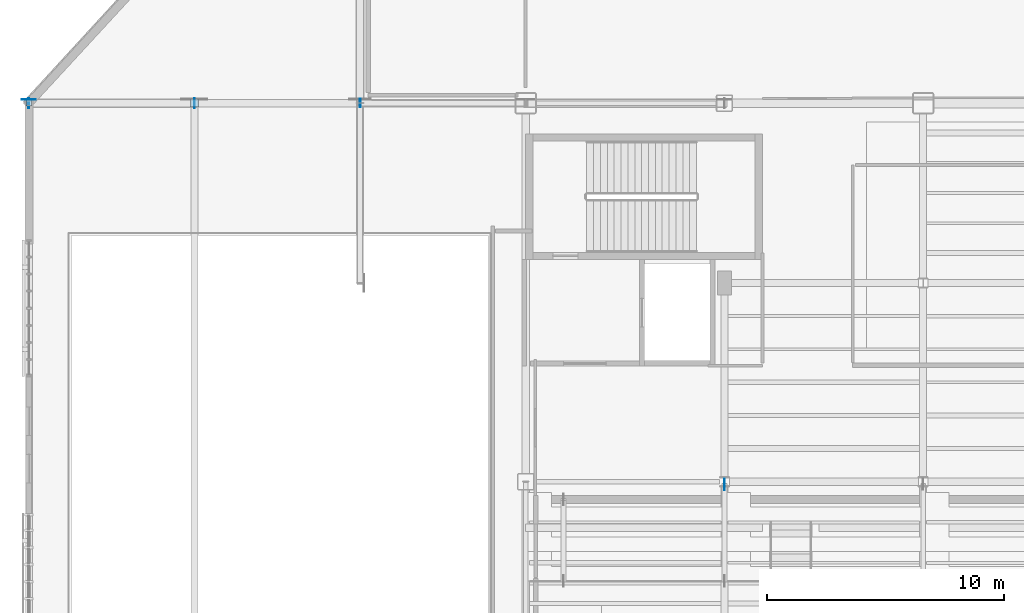
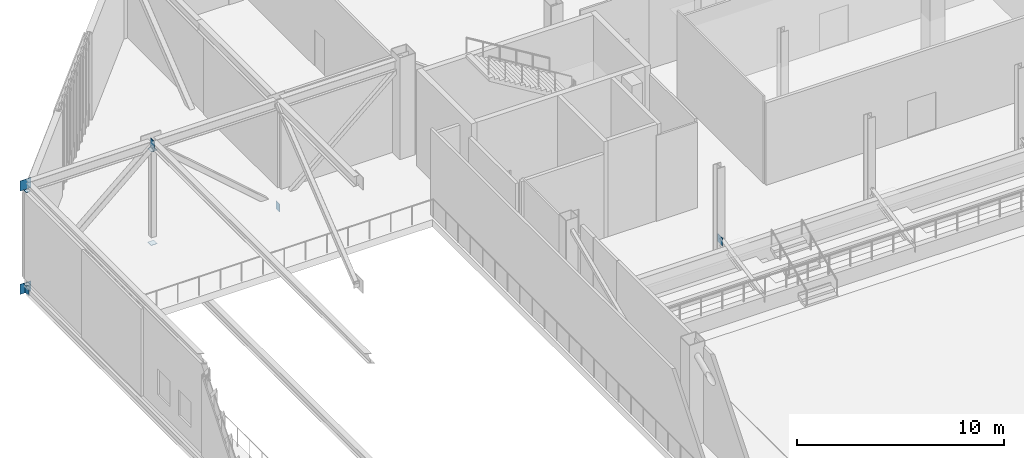
# One storey, part 94 of 135: 10 plates.
"""IFC4 building model written with IfcOpenShell, lengths in metres."""

import ifcopenshell
import ifcopenshell.guid

model = None  # the IFC model being written
_history = None  # IfcOwnerHistory: only IFC2X3 demands one
_inside = {}  # id of a spatial element -> (the spatial element, [elements in it])
_under = {}  # id of a project, library or spatial element -> (it, [spatial elements below it])
_declared = {}  # id of a project -> (the project, [libraries it declares])
_typed = {}  # id of a type object -> (the type object, [elements of that type])
_made_of = {}  # id of a material, layer set ... -> (it, [elements and type objects made of it])


def new_model(schema):
    """Start an empty IFC model of exactly this schema.

    Asked for "IFC4X3", IfcOpenShell would pick the latest addendum, in which some entities
    have other attributes; the version numbers below select the first issue.
    IFC2X3 requires an IfcOwnerHistory on every rooted entity: one is made here for all.
    """
    global model, _history
    if schema == "IFC4X3":
        model = ifcopenshell.file(schema_version=(4, 3, 0, 0))
    else:
        model = ifcopenshell.file(schema=schema)
    _inside.clear()
    _under.clear()
    _declared.clear()
    _typed.clear()
    _made_of.clear()
    _history = None
    if model.schema == "IFC2X3":
        org = make("IfcOrganization", Name="unknown")
        user = make(
            "IfcPersonAndOrganization",
            ThePerson=make("IfcPerson", FamilyName="unknown"),
            TheOrganization=org,
        )
        app = make(
            "IfcApplication",
            ApplicationDeveloper=org,
            Version="unknown",
            ApplicationFullName="unknown",
            ApplicationIdentifier="unknown",
        )
        _history = make(
            "IfcOwnerHistory",
            OwningUser=user,
            OwningApplication=app,
            ChangeAction="ADDED",
            CreationDate=0,
        )
    return model


def make(cls, **values):
    """One entity of the class cls with the attributes given. An attribute that is None is left unset."""
    return model.create_entity(
        cls, **{name: value for name, value in values.items() if value is not None}
    )


def rooted(cls, **values):
    """An entity with a GlobalId (a new one), such as an element, a storey or a relation."""
    return make(cls, GlobalId=ifcopenshell.guid.new(), OwnerHistory=_history, **values)


def si_unit(unit_type, name, prefix=None):
    """IfcSIUnit, for example si_unit("LENGTHUNIT", "METRE", prefix="MILLI")."""
    return make("IfcSIUnit", UnitType=unit_type, Prefix=prefix, Name=name)


def assignment(units):
    """IfcUnitAssignment: the units of a project."""
    return None if units is None else make("IfcUnitAssignment", Units=units)


def point(xyz):
    """IfcCartesianPoint."""
    return None if xyz is None else make("IfcCartesianPoint", Coordinates=xyz)


def direction(xyz):
    """IfcDirection."""
    return None if xyz is None else make("IfcDirection", DirectionRatios=xyz)


def frame(location, z_axis=None, x_axis=None):
    """IfcAxis2Placement3D, a coordinate frame: its origin and axes. An axis left out is left unset."""
    return make(
        "IfcAxis2Placement3D",
        Location=point(location),
        Axis=direction(z_axis),
        RefDirection=direction(x_axis),
    )


def frame_2d(location, x_axis=None):
    """IfcAxis2Placement2D, a coordinate frame in the plane: its origin and x axis."""
    return make(
        "IfcAxis2Placement2D", Location=point(location), RefDirection=direction(x_axis)
    )


def origin():
    """The frame at (0, 0, 0) with its axes left unset."""
    return frame((0.0, 0.0, 0.0))


def origin_2d():
    """The frame at (0, 0) in the plane with its x axis left unset."""
    return frame_2d((0.0, 0.0))


def place(relative_to, where):
    """IfcLocalPlacement: puts the frame where relative to a parent placement (None: the world)."""
    return make(
        "IfcLocalPlacement", PlacementRelTo=relative_to, RelativePlacement=where
    )


def context(
    kind, dimensions, precision=None, world=None, true_north=None, identifier=None
):
    """IfcGeometricRepresentationContext, for example the 3D "Model" context."""
    return make(
        "IfcGeometricRepresentationContext",
        ContextIdentifier=identifier,
        ContextType=kind,
        CoordinateSpaceDimension=dimensions,
        Precision=precision,
        WorldCoordinateSystem=world,
        TrueNorth=true_north,
    )


def subcontext(parent, identifier, kind, view, scale=None):
    """IfcGeometricRepresentationSubContext, for example "Body" below "Model"."""
    return make(
        "IfcGeometricRepresentationSubContext",
        ContextIdentifier=identifier,
        ContextType=kind,
        ParentContext=parent,
        TargetScale=scale,
        TargetView=view,
    )


def project(units=None, contexts=None):
    """IfcProject with its units and contexts."""
    return rooted(
        "IfcProject",
        Name="project",
        RepresentationContexts=contexts,
        UnitsInContext=assignment(units),
    )


def spatial(cls, under=None, at=None, **own):
    """A site, building, storey or space (cls), placed at a placement, below another one or the project."""
    s = rooted(cls, ObjectPlacement=at, **own)
    if under is not None:
        _under.setdefault(under.id(), (under, []))[1].append(s)
    return s


def profile(cls, at=None, kind="AREA", **sizes):
    """A parametric profile (cls). Its sizes go by their IFC names, for example OverallWidth=200.0."""
    return make(cls, ProfileType=kind, Position=at, **sizes)


def rectangle(**sizes):
    """IfcRectangleProfileDef."""
    return profile("IfcRectangleProfileDef", **sizes)


def extrude(swept, where, along, depth):
    """IfcExtrudedAreaSolid: the profile swept, set in the frame where, extruded along a direction by depth."""
    return make(
        "IfcExtrudedAreaSolid",
        SweptArea=swept,
        Position=where,
        ExtrudedDirection=direction(along),
        Depth=depth,
    )


def shape(context_of_items, identifier, shape_type, items):
    """IfcShapeRepresentation: the items that make up one representation, for example the "Body"."""
    return make(
        "IfcShapeRepresentation",
        ContextOfItems=context_of_items,
        RepresentationIdentifier=identifier,
        RepresentationType=shape_type,
        Items=items,
    )


def material(Name=None, Category=None):
    """IfcMaterial."""
    return make("IfcMaterial", Name=Name, Category=Category)


def layer(
    of_material, thickness, ventilated=None, Name=None, Category=None, Priority=None
):
    """IfcMaterialLayer: one layer of a wall or slab, of a material (None: an air gap)."""
    return make(
        "IfcMaterialLayer",
        Material=of_material,
        LayerThickness=thickness,
        IsVentilated=ventilated,
        Name=Name,
        Category=Category,
        Priority=Priority,
    )


def layer_set(layers, Name=None):
    """IfcMaterialLayerSet."""
    return make("IfcMaterialLayerSet", MaterialLayers=layers, LayerSetName=Name)


def made_of(thing, what):
    """Note that an element or type object is made of a material, layer set ...; save() writes the relation."""
    if what is not None:
        _made_of.setdefault(what.id(), (what, []))[1].append(thing)
    return thing


def type_object(cls, material=None, **own):
    """A type object (cls), such as IfcWallType, which elements share."""
    return made_of(rooted(cls, **own), material)


def element(
    cls,
    number,
    at=None,
    inside=None,
    cuts=None,
    type_object=None,
    material=None,
    context=None,
    identifier="Body",
    shape_type=None,
    held_by="IfcProductDefinitionShape",
    body=None,
    shapes=None,
    **own,
):
    """One element of the class cls, such as IfcWall. Its Tag is "e" and its number.

    at: its placement. inside: the storey or other place that contains it. cuts: it is an
    opening in that element (IfcRelVoidsElement). A single representation is given by context,
    identifier, shape_type and body (its items); several are given by shapes. held_by: the class
    of the entity that holds the representations. save() writes the other relations.
    """
    e = rooted(cls, Tag="e%d" % number, ObjectPlacement=at, **own)
    if body is not None:
        shapes = [shape(context, identifier, shape_type, body)]
    if shapes is not None:
        e.Representation = make(held_by, Representations=shapes)
    if inside is not None:
        _inside.setdefault(inside.id(), (inside, []))[1].append(e)
    if cuts is not None:
        rooted(
            "IfcRelVoidsElement", RelatingBuildingElement=cuts, RelatedOpeningElement=e
        )
    if type_object is not None:
        _typed.setdefault(type_object.id(), (type_object, []))[1].append(e)
    return made_of(e, material)


def aggregate(whole, parts):
    """IfcRelAggregates: a whole, such as a stair, and the parts it consists of."""
    return rooted("IfcRelAggregates", RelatingObject=whole, RelatedObjects=parts)


def save(model, path):
    """Write the relations noted so far, then the file.

    IfcRelAggregates (storeys below a building ...), IfcRelContainedInSpatialStructure (elements
    in a storey), IfcRelDefinesByType, IfcRelAssociatesMaterial and IfcRelDeclares: one each for
    every whole, place, type object, material and project.
    """
    for whole, parts in _under.values():
        aggregate(whole, parts)
    for where, things in _inside.values():
        rooted(
            "IfcRelContainedInSpatialStructure",
            RelatedElements=things,
            RelatingStructure=where,
        )
    for kind, things in _typed.values():
        rooted("IfcRelDefinesByType", RelatedObjects=things, RelatingType=kind)
    for what, things in _made_of.values():
        rooted("IfcRelAssociatesMaterial", RelatedObjects=things, RelatingMaterial=what)
    for by, libraries in _declared.values():
        rooted("IfcRelDeclares", RelatingContext=by, RelatedDefinitions=libraries)
    model.write(path)


model = new_model("IFC4")

# Units and contexts
model_context = context("Model", 3, precision=1e-05, world=origin(), true_north=direction((0.0, 1.0)))
body_context = subcontext(model_context, "Body", "Model", "MODEL_VIEW")
ifc_project = project(units=[si_unit("LENGTHUNIT", "METRE"), si_unit("AREAUNIT", "SQUARE_METRE"), si_unit("VOLUMEUNIT", "CUBIC_METRE"), si_unit("PLANEANGLEUNIT", "RADIAN"), si_unit("MASSUNIT", "GRAM", prefix="KILO")], contexts=[model_context])

# Site, building, storey
site_placement = place(None, origin())
site = spatial("IfcSite", under=ifc_project, at=site_placement, CompositionType="ELEMENT")
building_placement = place(site_placement, origin())
building = spatial("IfcBuilding", under=site, at=building_placement, Name="Larkvane Passage Sports Hall", CompositionType="ELEMENT")
storey_placement = place(building_placement, frame((0.0, 0.0, 10.800048828125)))
storey = spatial("IfcBuildingStorey", under=building, at=storey_placement, Name="L02", CompositionType="ELEMENT", Elevation=10.800048828125)

# Plates
ifc_material_1 = material(Name="Steel S355JR", Category="steel")
ifc_layer_1 = layer(ifc_material_1, 0.011962890625)
ifc_layer_set_1 = layer_set([ifc_layer_1], Name="Steel S355JR")
plate_type_1 = type_object("IfcPlateType", Name="PLT-CAP-12", PredefinedType="SHEET", material=ifc_layer_set_1)
for number, where, z_axis, x_axis, name in (
    (1, (13.800048828125, 91.60009765625, -0.43212890625), (0.0, 0.0, 1.0), (1.0, 0.0, 0.0), "Hollow section sealed end cap plate 0103"),
    (2, (13.800048828125, 91.60009765625, 5.091796875), (0.0, 0.0, 1.0), (1.0, 0.0, 0.0), "Hollow section sealed end cap plate 0104"),
):
    element("IfcPlate", number, at=place(storey_placement, frame(where, z_axis=z_axis, x_axis=x_axis)), inside=storey, type_object=plate_type_1, Name=name, PredefinedType="SHEET", context=body_context, shape_type="SweptSolid", body=[
        extrude(rectangle(XDim=0.239990234375, YDim=0.239990234375, at=origin_2d()), origin(), (0.0, 0.0, 1.0), 0.011962890625),
    ])
ifc_material_2 = material(Name="Steel S460N", Category="steel")
ifc_layer_2 = layer(ifc_material_2, 0.02001953125)
ifc_layer_set_2 = layer_set([ifc_layer_2], Name="Steel S460N")
plate_type_2 = type_object("IfcPlateType", Name="PLT-CAP-20", PredefinedType="SHEET", material=ifc_layer_set_2)
for number, where, z_axis, x_axis, name in (
    (3, (13.79248046875, 91.60009765625, -0.982666015625), (0.0, 0.0, 1.0), (0.0, 1.0, 0.0), "Hollow section sealed end cap plate 0098"),
    (4, (20.8076171875, 91.60009765625, 5.130615234375), (0.0, 0.0, 1.0), (0.0, 1.0, 0.0), "Hollow section sealed end cap plate 0099"),
):
    element("IfcPlate", number, at=place(storey_placement, frame(where, z_axis=z_axis, x_axis=x_axis)), inside=storey, type_object=plate_type_2, Name=name, PredefinedType="SHEET", context=body_context, shape_type="SweptSolid", body=[
        extrude(rectangle(XDim=0.409912109375, YDim=0.028076171875, at=origin_2d()), origin(), (0.0, 0.0, 1.0), 0.52392578125),
    ])
plate_1_placement = place(storey_placement, frame((27.8076171875, 91.60009765625, -0.94970703125), z_axis=(0.0, 0.0, 1.0), x_axis=(0.0, 1.0, 0.0)))
element("IfcPlate", 5, at=plate_1_placement, inside=storey, type_object=plate_type_2, Name="Hollow section sealed end cap plate 0100", PredefinedType="SHEET", context=body_context, shape_type="SweptSolid", body=[
    extrude(rectangle(XDim=0.360107421875, YDim=0.028076171875, at=origin_2d()), origin(), (0.0, 0.0, 1.0), 0.4580078125),
])
for number, where, z_axis, x_axis, name in (
    (6, (20.800048828125, 91.60009765625, -0.43994140625), (0.0, 0.0, 1.0), (1.0, 0.0, 0.0), "Hollow section sealed end cap plate 0105"),
    (7, (20.800048828125, 91.60009765625, 5.092041015625), (0.0, 0.0, 1.0), (1.0, 0.0, 0.0), "Hollow section sealed end cap plate 0106"),
):
    element("IfcPlate", number, at=place(storey_placement, frame(where, z_axis=z_axis, x_axis=x_axis)), inside=storey, type_object=plate_type_2, Name=name, PredefinedType="SHEET", context=body_context, shape_type="SweptSolid", body=[
        extrude(rectangle(XDim=0.340087890625, YDim=0.340087890625, at=origin_2d()), origin(), (0.0, 0.0, 1.0), 0.02001953125),
    ])
ifc_layer_3 = layer(ifc_material_2, 0.01611328125)
ifc_layer_set_3 = layer_set([ifc_layer_3], Name="Steel S460N")
plate_type_3 = type_object("IfcPlateType", Name="PLT-GUS-16", PredefinedType="USERDEFINED", material=ifc_layer_set_3)
for number, where, z_axis, x_axis, name in (
    (8, (13.800048828125, 91.758056640625, -1.01416015625), (0.0, 0.0, 1.0), (1.0, 0.0, 0.0), "Truss node gusset plate ND-1B (CT-W2A-2)"),
    (9, (13.800048828125, 91.758056640625, 5.0859375), (0.0, 0.0, 1.0), (1.0, 0.0, 0.0), "Truss node gusset plate ND-1T (CT-W2A-2)"),
):
    element("IfcPlate", number, at=place(storey_placement, frame(where, z_axis=z_axis, x_axis=x_axis)), inside=storey, type_object=plate_type_3, Name=name, ObjectType="GUSSET PLATE", PredefinedType="USERDEFINED", context=body_context, shape_type="SweptSolid", body=[
        extrude(rectangle(XDim=0.60009765625, YDim=0.01611328125, at=origin_2d()), origin(), (0.0, 0.0, 1.0), 0.60009765625),
    ])
plate_2_placement = place(storey_placement, frame((43.199951171875, 75.486083984375, 1.43896484375), z_axis=(0.0, 0.0, 1.0), x_axis=(0.0, 1.0, 0.0)))
element("IfcPlate", 10, at=plate_2_placement, inside=storey, type_object=plate_type_3, Name="Brace connection gusset plate 0050", ObjectType="GUSSET PLATE", PredefinedType="USERDEFINED", context=body_context, shape_type="SweptSolid", body=[
    extrude(rectangle(XDim=0.47998046875, YDim=0.01611328125, at=origin_2d()), origin(), (0.0, 0.0, 1.0), 0.47998046875),
])

save(model, "model.ifc")
